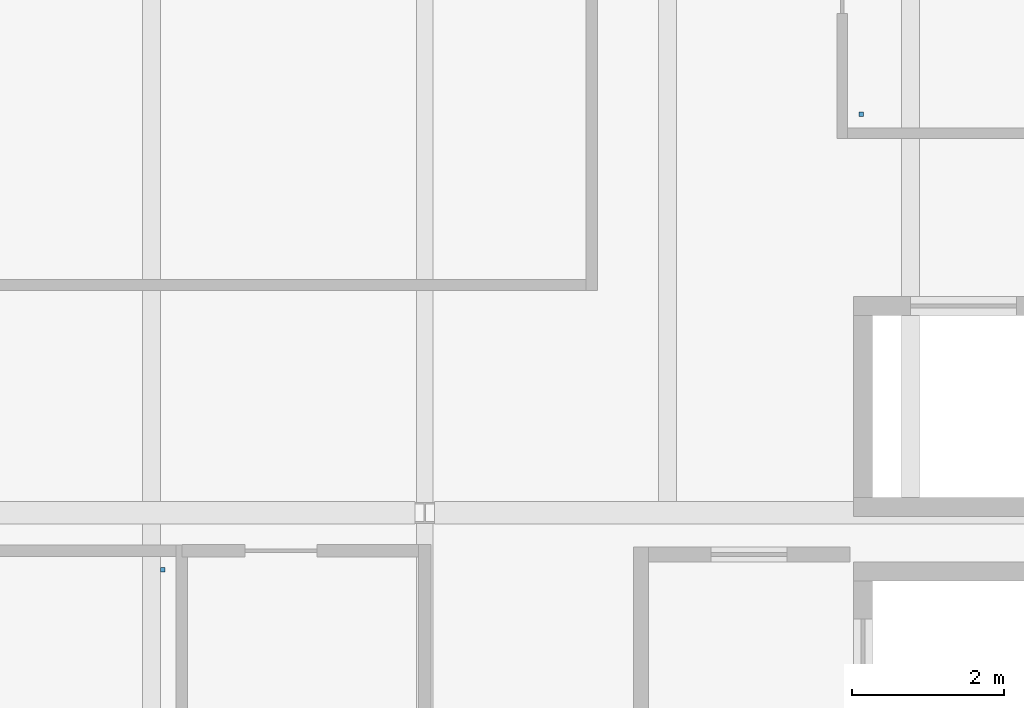
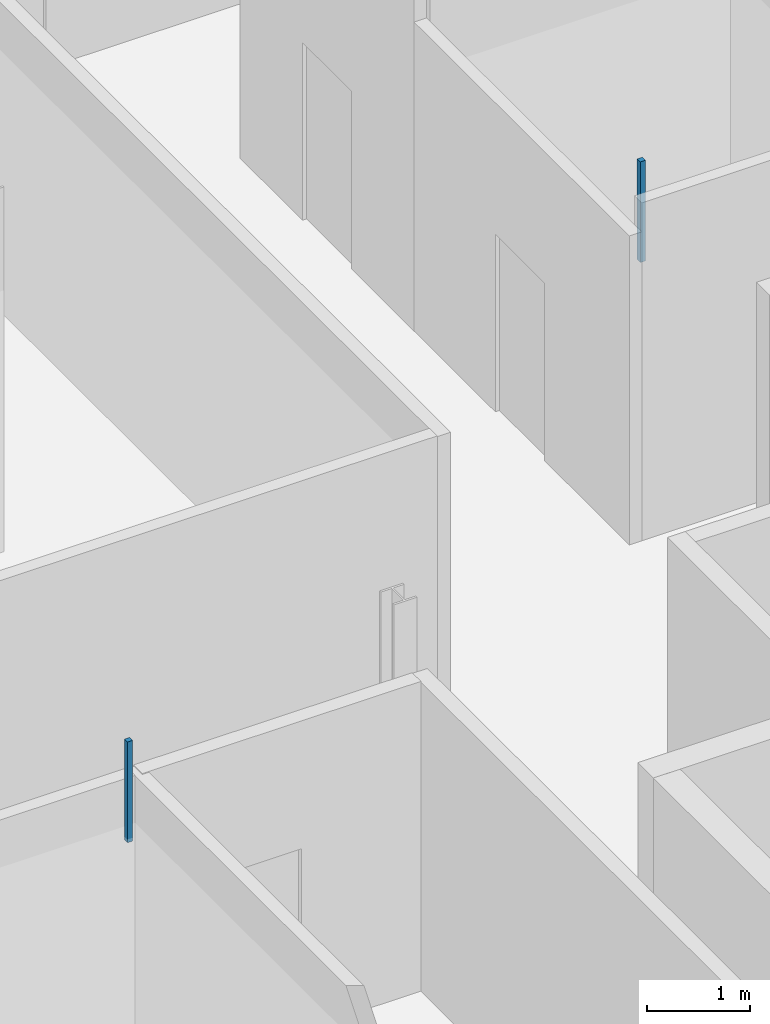
# One storey, part 26 of 41: 2 discrete accessories.
"""IFC4 building model written with IfcOpenShell, lengths in metres."""

from ifc_helpers import new_model, si_unit, direction, frame, origin, place, context, subcontext, project, spatial, polyline, outline, extrude, material, type_object, element, save


model = new_model("IFC4")

# Units and contexts
model_context = context("Model", 3, precision=1e-05, world=origin(), true_north=direction((0.0, 1.0)))
body_context = subcontext(model_context, "Body", "Model", "MODEL_VIEW")
ifc_project = project(units=[si_unit("LENGTHUNIT", "METRE"), si_unit("AREAUNIT", "SQUARE_METRE"), si_unit("VOLUMEUNIT", "CUBIC_METRE"), si_unit("PLANEANGLEUNIT", "RADIAN"), si_unit("MASSUNIT", "GRAM", prefix="KILO")], contexts=[model_context])

# Site, building, storey
site_placement = place(None, origin())
site = spatial("IfcSite", under=ifc_project, at=site_placement, CompositionType="ELEMENT")
building_placement = place(site_placement, origin())
building = spatial("IfcBuilding", under=site, at=building_placement, Name="Dunescarp Central Library", CompositionType="ELEMENT")
storey_placement = place(building_placement, frame((0.0, 0.0, 23.10009765625)))
storey = spatial("IfcBuildingStorey", under=building, at=storey_placement, Name="L05", CompositionType="ELEMENT", Elevation=23.10009765625)

# Discrete accessories
ifc_material = material(Name="Stainless steel Grade 316L", Category="steel")
discrete_accessory_type = type_object("IfcDiscreteAccessoryType", Name="ARC-ACC-BRK", PredefinedType="BRACKET", material=ifc_material)
discrete_accessory_1_placement = place(storey_placement, frame((0.0, 0.0, 3.059814453125)))
element("IfcDiscreteAccessory", 1, at=discrete_accessory_1_placement, inside=storey, type_object=discrete_accessory_type, Name="L05 ceiling hanger CLG-L05-036-H1", PredefinedType="BRACKET", context=body_context, shape_type="SweptSolid", body=[
    extrude(outline(polyline([(29.719970703125, 18.02001953125), (29.780029296875, 18.02001953125), (29.780029296875, 18.080078125), (29.719970703125, 18.080078125), (29.719970703125, 18.02001953125)])), origin(), (0.0, 0.0, 1.0), 1.190185546875),
])
discrete_accessory_2_placement = place(storey_placement, frame((0.0, 0.0, 3.059814453125)))
element("IfcDiscreteAccessory", 2, at=discrete_accessory_2_placement, inside=storey, type_object=discrete_accessory_type, Name="L05 ceiling hanger CLG-L05-038-H2", PredefinedType="BRACKET", context=body_context, shape_type="SweptSolid", body=[
    extrude(outline(polyline([(20.52001953125, 12.02001953125), (20.580078125, 12.02001953125), (20.580078125, 12.080078125), (20.52001953125, 12.080078125), (20.52001953125, 12.02001953125)])), origin(), (0.0, 0.0, 1.0), 1.190185546875),
])

save(model, "model.ifc")
